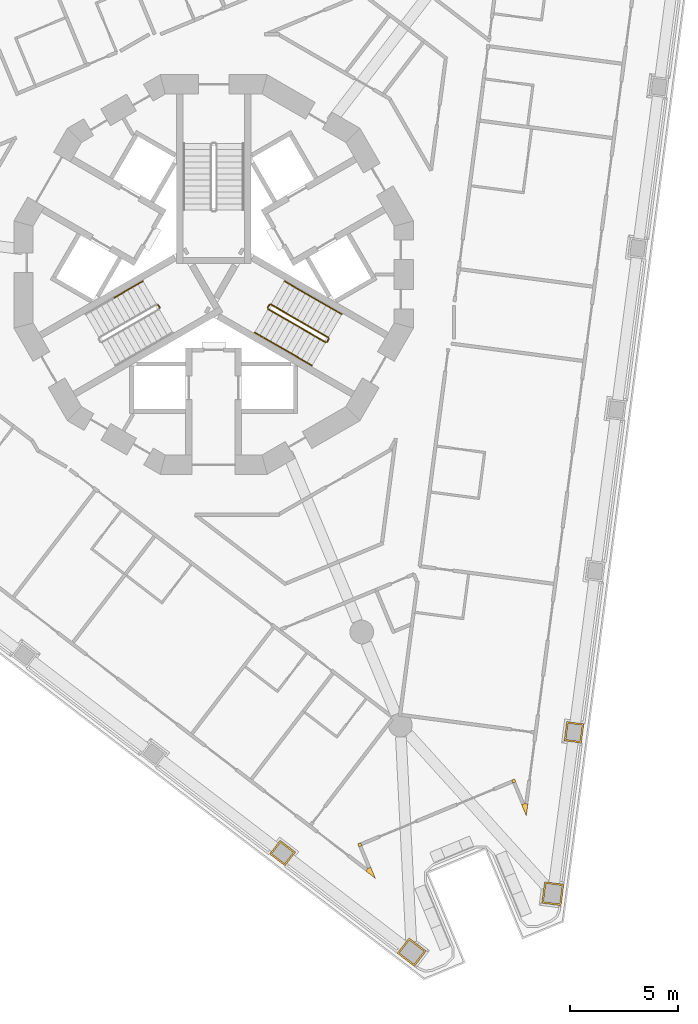
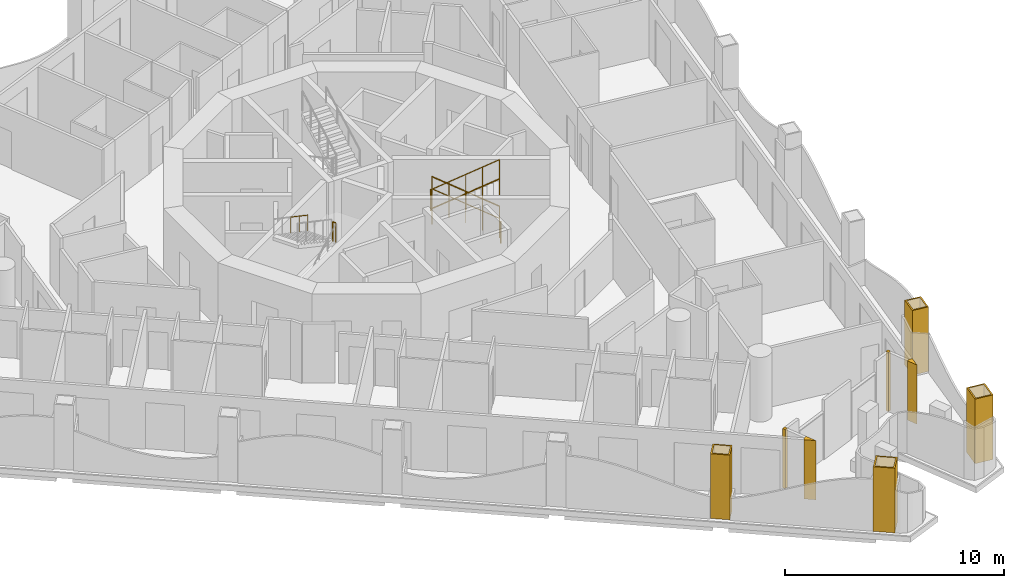
# One storey, part 13 of 17: 10 railings, 8 coverings.
"""IFC4 building model written with IfcOpenShell, lengths in metres."""

from ifc_helpers import new_model, si_unit, direction, frame, origin, origin_2d, place, context, subcontext, project, spatial, polyline, circle, outline, extrude, material, layer, layer_set, type_object, element, save


model = new_model("IFC4")

# Units and contexts
model_context = context("Model", 3, precision=1e-05, world=origin(), true_north=direction((0.0, 1.0)))
body_context = subcontext(model_context, "Body", "Model", "MODEL_VIEW")
ifc_project = project(units=[si_unit("LENGTHUNIT", "METRE"), si_unit("AREAUNIT", "SQUARE_METRE"), si_unit("VOLUMEUNIT", "CUBIC_METRE"), si_unit("PLANEANGLEUNIT", "RADIAN"), si_unit("MASSUNIT", "GRAM", prefix="KILO")], contexts=[model_context])

# Site, building, storey
site_placement = place(None, origin())
site = spatial("IfcSite", under=ifc_project, at=site_placement, CompositionType="ELEMENT")
building_placement = place(site_placement, origin())
building = spatial("IfcBuilding", under=site, at=building_placement, Name="Trine Commons Tower", CompositionType="ELEMENT")
storey_placement = place(building_placement, frame((0.0, 0.0, 138.60009765625)))
storey = spatial("IfcBuildingStorey", under=building, at=storey_placement, Name="L35", CompositionType="ELEMENT", Elevation=138.60009765625)

# Coverings
ifc_material_1 = material(Name="Aluminium-framed insulated wall panel", Category="aluminium")
ifc_layer_1 = layer(ifc_material_1, 0.14990234375)
ifc_layer_set_1 = layer_set([ifc_layer_1], Name="Aluminium-framed insulated wall panel")
covering_type_1 = type_object("IfcCoveringType", Name="Glazing corner post, aluminium", PredefinedType="CLADDING", material=ifc_layer_set_1)
covering_1_placement = place(storey_placement, origin())
element("IfcCovering", 1, at=covering_1_placement, inside=storey, type_object=covering_type_1, Name="Glazing corner post 4-09", PredefinedType="CLADDING", context=body_context, shape_type="SweptSolid", body=[
    extrude(outline(polyline([(94.2939453125, 37.89501953125), (94.50830078125, 37.377685546875), (94.581298828125, 37.932861328125), (94.4326171875, 37.952392578125), (94.4326171875, 37.952392578125), (94.2939453125, 37.89501953125)])), origin(), (0.0, 0.0, 1.0), 3.2998046875),
])
covering_2_placement = place(storey_placement, origin())
element("IfcCovering", 2, at=covering_2_placement, inside=storey, type_object=covering_type_1, Name="Glazing corner post 4-10", PredefinedType="CLADDING", context=body_context, shape_type="SweptSolid", body=[
    extrude(outline(polyline([(93.821044921875, 39.03662109375), (93.87841796875, 38.89794921875), (93.87841796875, 38.89794921875), (94.01708984375, 38.955322265625), (93.959716796875, 39.093994140625), (93.821044921875, 39.03662109375)])), origin(), (0.0, 0.0, 1.0), 3.2998046875),
])
covering_3_placement = place(storey_placement, origin())
element("IfcCovering", 3, at=covering_3_placement, inside=storey, type_object=covering_type_1, Name="Glazing corner post 4-11", PredefinedType="CLADDING", context=body_context, shape_type="SweptSolid", body=[
    extrude(outline(polyline([(86.73681640625, 35.93994140625), (86.87548828125, 35.997314453125), (86.818115234375, 36.135986328125), (86.679443359375, 36.07861328125), (86.73681640625, 35.93994140625)])), origin(), (0.0, 0.0, 1.0), 3.2998046875),
])
covering_4_placement = place(storey_placement, origin())
element("IfcCovering", 4, at=covering_4_placement, inside=storey, type_object=covering_type_1, Name="Glazing corner post 4-12", PredefinedType="CLADDING", context=body_context, shape_type="SweptSolid", body=[
    extrude(outline(polyline([(87.06103515625, 34.81787109375), (87.505126953125, 34.47705078125), (87.291015625, 34.994140625), (87.15234375, 34.936767578125), (87.06103515625, 34.81787109375)])), origin(), (0.0, 0.0, 1.0), 3.2998046875),
])
ifc_material_2 = material(Name="Limestone, honed", Category="masonry")
ifc_layer_2 = layer(ifc_material_2, 0.074951171875)
ifc_layer_set_2 = layer_set([ifc_layer_2], Name="Limestone, honed")
covering_type_2 = type_object("IfcCoveringType", Name="Limestone column cladding 75", PredefinedType="CLADDING", material=ifc_layer_set_2)
covering_5_placement = place(storey_placement, origin())
element("IfcCovering", 5, at=covering_5_placement, inside=storey, type_object=covering_type_2, Name="Limestone pier cladding 4-01", PredefinedType="CLADDING", context=body_context, shape_type="SweptSolid", body=[
    extrude(outline(polyline([(89.065673828125, 31.716796875), (88.517578125, 31.002685546875), (89.31103515625, 30.39404296875), (89.85888671875, 31.10791015625), (89.065673828125, 31.716796875)]), holes=[polyline([(89.079345703125, 31.611572265625), (88.622802734375, 31.0166015625), (89.297119140625, 30.499267578125), (89.75390625, 31.09423828125), (89.079345703125, 31.611572265625)])]), origin(), (0.0, 0.0, 1.0), 3.599853515625),
])
covering_6_placement = place(storey_placement, origin())
element("IfcCovering", 6, at=covering_6_placement, inside=storey, type_object=covering_type_2, Name="Limestone pier cladding 4-02", PredefinedType="CLADDING", context=body_context, shape_type="SweptSolid", body=[
    extrude(outline(polyline([(83.08349609375, 36.243896484375), (82.596435546875, 35.609375), (83.310302734375, 35.061279296875), (83.79736328125, 35.696044921875), (83.08349609375, 36.243896484375)]), holes=[polyline([(83.09716796875, 36.138916015625), (82.701416015625, 35.623046875), (83.296630859375, 35.16650390625), (83.6923828125, 35.682373046875), (83.09716796875, 36.138916015625)])]), origin(), (0.0, 0.0, 1.0), 3.599853515625),
])
covering_7_placement = place(storey_placement, origin())
element("IfcCovering", 7, at=covering_7_placement, inside=storey, type_object=covering_type_2, Name="Limestone pier cladding 4-23", PredefinedType="CLADDING", context=body_context, shape_type="SweptSolid", body=[
    extrude(outline(polyline([(97.1787109375, 41.6494140625), (96.385498046875, 41.75390625), (96.26806640625, 40.86181640625), (97.06103515625, 40.757080078125), (97.1787109375, 41.6494140625)]), holes=[polyline([(97.094482421875, 41.5849609375), (96.449951171875, 41.669921875), (96.35205078125, 40.92626953125), (96.99658203125, 40.84130859375), (97.094482421875, 41.5849609375)])]), origin(), (0.0, 0.0, 1.0), 3.599853515625),
])
covering_8_placement = place(storey_placement, origin())
element("IfcCovering", 8, at=covering_8_placement, inside=storey, type_object=covering_type_2, Name="Limestone pier cladding 4-24", PredefinedType="CLADDING", context=body_context, shape_type="SweptSolid", body=[
    extrude(outline(polyline([(96.2490234375, 34.205078125), (95.356689453125, 34.32275390625), (95.226318359375, 33.331298828125), (96.118408203125, 33.213623046875), (96.2490234375, 34.205078125)]), holes=[polyline([(96.164794921875, 34.140625), (95.42138671875, 34.238525390625), (95.310302734375, 33.395751953125), (96.053955078125, 33.2978515625), (96.164794921875, 34.140625)])]), origin(), (0.0, 0.0, 1.0), 3.599853515625),
])

# Railings
ifc_material_3 = material(Name="Stainless steel balustrade", Category="steel")
railing_type_1 = type_object("IfcRailingType", Name="Stair guard, steel balustrade 1100", PredefinedType="GUARDRAIL", material=ifc_material_3)
railing_1_placement = place(storey_placement, frame((77.490966796875, 60.96484375, 1.7998046875)))
element("IfcRailing", 9, at=railing_1_placement, inside=storey, type_object=railing_type_1, Name="L35 ST2B stair guard 2", PredefinedType="GUARDRAIL", context=body_context, shape_type="SweptSolid", body=[
    extrude(circle(Radius=0.02392578125, at=origin_2d()), frame((0.0, 0.0, 1.076171875), z_axis=(-0.501036270542, 0.865426285481, 0.0), x_axis=(-0.865426285481, -0.501036270542, 0.0)), (0.0, 0.0, 1.0), 0.150146484375),
    extrude(circle(Radius=0.02099609375, at=origin_2d()), origin(), (0.0, 0.0, 1.0), 1.052001953125),
    extrude(circle(Radius=0.02099609375, at=origin_2d()), frame((-0.0751953125, 0.1298828125, 0.0)), (0.0, 0.0, 1.0), 1.052001953125),
])
railing_2_placement = place(storey_placement, frame((85.31982421875, 59.572998046875, 0.14990234375)))
element("IfcRailing", 10, at=railing_2_placement, inside=storey, type_object=railing_type_1, Name="L35 ST3B stair guard 1", PredefinedType="GUARDRAIL", context=body_context, shape_type="SweptSolid", body=[
    extrude(circle(Radius=0.02392578125, at=origin_2d()), frame((0.0, 0.0, 1.076171875), z_axis=(-0.76340495495, 0.440743040072, 0.472184759798), x_axis=(-0.499992328818, -0.866029832698, 0.0)), (0.0, 0.0, 1.0), 3.494140625),
    extrude(circle(Radius=0.02099609375, at=origin_2d()), origin(), (0.0, 0.0, 1.0), 1.052001953125),
    extrude(circle(Radius=0.02099609375, at=origin_2d()), frame((-0.6669921875, 0.385009765625, 0.41259765625)), (0.0, 0.0, 1.0), 1.052001953125),
    extrude(circle(Radius=0.02099609375, at=origin_2d()), frame((-1.333740234375, 0.77001953125, 0.824951171875)), (0.0, 0.0, 1.0), 1.052001953125),
    extrude(circle(Radius=0.02099609375, at=origin_2d()), frame((-2.00048828125, 1.155029296875, 1.2373046875)), (0.0, 0.0, 1.0), 1.052001953125),
    extrude(circle(Radius=0.02099609375, at=origin_2d()), frame((-2.66748046875, 1.5400390625, 1.64990234375)), (0.0, 0.0, 1.0), 1.052001953125),
])
railing_3_placement = place(storey_placement, frame((82.584228515625, 61.0947265625, 1.7998046875)))
element("IfcRailing", 11, at=railing_3_placement, inside=storey, type_object=railing_type_1, Name="L35 ST3B stair guard 2", PredefinedType="GUARDRAIL", context=body_context, shape_type="SweptSolid", body=[
    extrude(circle(Radius=0.02392578125, at=origin_2d()), frame((0.0, 0.0, 1.076171875), z_axis=(-0.501036270542, -0.865426285481, 0.0), x_axis=(0.865426285481, -0.501036270542, 0.0)), (0.0, 0.0, 1.0), 0.150146484375),
    extrude(circle(Radius=0.02099609375, at=origin_2d()), origin(), (0.0, 0.0, 1.0), 1.052001953125),
    extrude(circle(Radius=0.02099609375, at=origin_2d()), frame((-0.0751953125, -0.1298828125, 0.0)), (0.0, 0.0, 1.0), 1.052001953125),
])
railing_4_placement = place(storey_placement, frame((82.52734375, 60.896484375, 1.949951171875)))
element("IfcRailing", 12, at=railing_4_placement, inside=storey, type_object=railing_type_1, Name="L35 ST3B stair guard 3", PredefinedType="GUARDRAIL", context=body_context, shape_type="SweptSolid", body=[
    extrude(circle(Radius=0.02392578125, at=origin_2d()), frame((0.0, 0.0, 1.076171875), z_axis=(0.76340495495, -0.440743040072, 0.472184759798), x_axis=(0.499992328818, 0.866029832698, 0.0)), (0.0, 0.0, 1.0), 3.494140625),
    extrude(circle(Radius=0.02099609375, at=origin_2d()), origin(), (0.0, 0.0, 1.0), 1.052001953125),
    extrude(circle(Radius=0.02099609375, at=origin_2d()), frame((0.6669921875, -0.385009765625, 0.41259765625)), (0.0, 0.0, 1.0), 1.052001953125),
    extrude(circle(Radius=0.02099609375, at=origin_2d()), frame((1.333740234375, -0.77001953125, 0.824951171875)), (0.0, 0.0, 1.0), 1.052001953125),
    extrude(circle(Radius=0.02099609375, at=origin_2d()), frame((2.00048828125, -1.155029296875, 1.2373046875)), (0.0, 0.0, 1.0), 1.052001953125),
    extrude(circle(Radius=0.02099609375, at=origin_2d()), frame((2.66748046875, -1.5400390625, 1.64990234375)), (0.0, 0.0, 1.0), 1.052001953125),
])
railing_5_placement = place(storey_placement, frame((85.338134765625, 59.504638671875, 0.0)))
element("IfcRailing", 13, at=railing_5_placement, inside=storey, type_object=railing_type_1, Name="L35 ST3B stair guard 4", PredefinedType="GUARDRAIL", context=body_context, shape_type="SweptSolid", body=[
    extrude(circle(Radius=0.02392578125, at=origin_2d()), frame((0.0, 0.0, 1.076171875), z_axis=(-0.499816412211, -0.866131372301, 0.0), x_axis=(0.866131372301, -0.499816412211, 0.0)), (0.0, 0.0, 1.0), 0.14990234375),
    extrude(circle(Radius=0.02099609375, at=origin_2d()), origin(), (0.0, 0.0, 1.0), 1.052001953125),
    extrude(circle(Radius=0.02099609375, at=origin_2d()), frame((-0.074951171875, -0.1298828125, 0.0)), (0.0, 0.0, 1.0), 1.052001953125),
])
ifc_material_4 = material(Name="Stainless steel handrail", Category="steel")
railing_type_2 = type_object("IfcRailingType", Name="Stair handrail, steel 900", PredefinedType="HANDRAIL", material=ifc_material_4)
railing_6_placement = place(storey_placement, frame((76.72265625, 62.195556640625, 1.949951171875)))
element("IfcRailing", 14, at=railing_6_placement, inside=storey, type_object=railing_type_2, Name="L35 ST2B stair handrail 3", PredefinedType="HANDRAIL", context=body_context, shape_type="SweptSolid", body=[
    extrude(circle(Radius=0.02099609375, at=origin_2d()), frame((0.0, 0.0, 0.87890625), z_axis=(-0.76340495495, -0.440743040072, 0.472184759798), x_axis=(0.499992328818, -0.866029832698, 0.0)), (0.0, 0.0, 1.0), 1.7470703125),
    extrude(circle(Radius=0.01513671875, at=origin_2d()), origin(), (0.0, 0.0, 1.0), 0.85791015625),
    extrude(circle(Radius=0.01513671875, at=origin_2d()), frame((-0.6669921875, -0.385009765625, 0.41259765625)), (0.0, 0.0, 1.0), 0.85791015625),
    extrude(circle(Radius=0.01513671875, at=origin_2d()), frame((-1.333740234375, -0.77001953125, 0.824951171875)), (0.0, 0.0, 1.0), 0.85791015625),
])
for number, where, name in (
    (15, (85.94482421875, 60.655517578125, 0.14990234375), "L35 ST3B stair handrail 1"),
    (16, (84.611083984375, 61.425537109375, 0.974853515625), "L35 ST3B stair handrail 2"),
):
    element("IfcRailing", number, at=place(storey_placement, frame(where)), inside=storey, type_object=railing_type_2, Name=name, PredefinedType="HANDRAIL", context=body_context, shape_type="SweptSolid", body=[
        extrude(circle(Radius=0.02099609375, at=origin_2d()), frame((0.0, 0.0, 0.87890625), z_axis=(-0.76340495495, 0.440743040072, 0.472184759798), x_axis=(-0.499992328818, -0.866029832698, 0.0)), (0.0, 0.0, 1.0), 1.7470703125),
        extrude(circle(Radius=0.01513671875, at=origin_2d()), origin(), (0.0, 0.0, 1.0), 0.85791015625),
        extrude(circle(Radius=0.01513671875, at=origin_2d()), frame((-0.6669921875, 0.385009765625, 0.41259765625)), (0.0, 0.0, 1.0), 0.85791015625),
        extrude(circle(Radius=0.01513671875, at=origin_2d()), frame((-1.333740234375, 0.77001953125, 0.824951171875)), (0.0, 0.0, 1.0), 0.85791015625),
    ])
for number, where, name in (
    (17, (81.90234375, 59.81396484375, 1.949951171875), "L35 ST3B stair handrail 3"),
    (18, (83.236083984375, 59.0439453125, 2.77490234375), "L35 ST3B stair handrail 4"),
):
    element("IfcRailing", number, at=place(storey_placement, frame(where)), inside=storey, type_object=railing_type_2, Name=name, PredefinedType="HANDRAIL", context=body_context, shape_type="SweptSolid", body=[
        extrude(circle(Radius=0.02099609375, at=origin_2d()), frame((0.0, 0.0, 0.87890625), z_axis=(0.76340495495, -0.440743040072, 0.472184759798), x_axis=(0.499992328818, 0.866029832698, 0.0)), (0.0, 0.0, 1.0), 1.7470703125),
        extrude(circle(Radius=0.01513671875, at=origin_2d()), origin(), (0.0, 0.0, 1.0), 0.85791015625),
        extrude(circle(Radius=0.01513671875, at=origin_2d()), frame((0.6669921875, -0.385009765625, 0.41259765625)), (0.0, 0.0, 1.0), 0.85791015625),
        extrude(circle(Radius=0.01513671875, at=origin_2d()), frame((1.333740234375, -0.77001953125, 0.824951171875)), (0.0, 0.0, 1.0), 0.85791015625),
    ])

save(model, "model.ifc")
